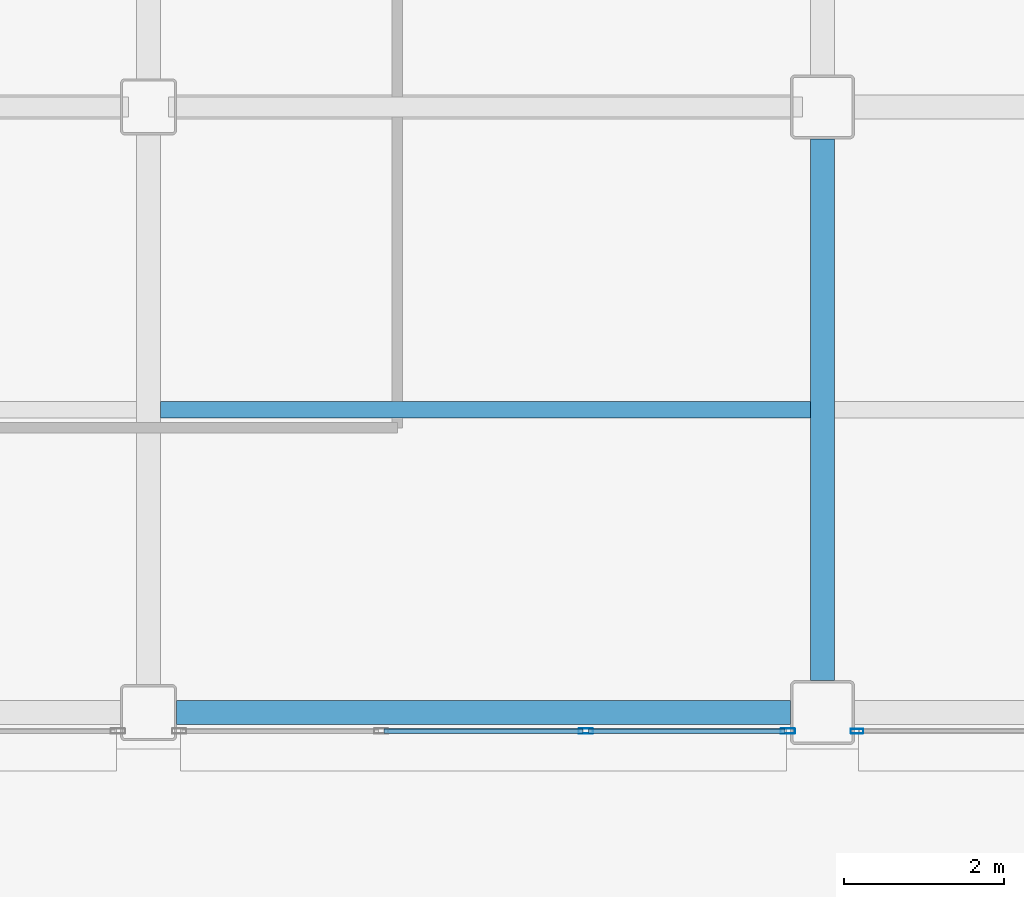
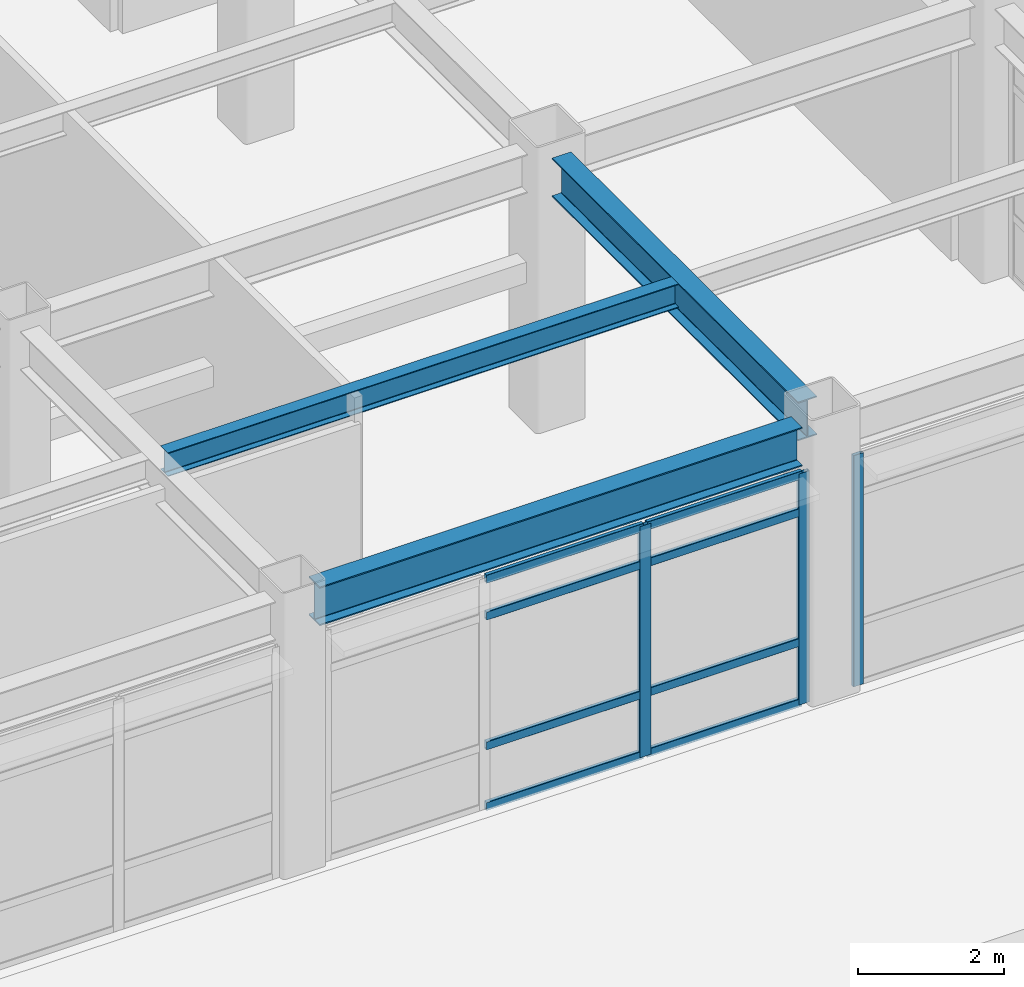
# One storey, part 93 of 172: 11 members, 3 beams, 2 elements without a shape of their own.
"""IFC4 building model written with IfcOpenShell, lengths in metres."""

from ifc_helpers import new_model, si_unit, direction, frame, origin, origin_2d, place, context, subcontext, project, spatial, hollow_rectangle, i_section, extrude, material, layer, layer_set, material_profile, profile_set, type_object, element, aggregate, save


model = new_model("IFC4")

# Units and contexts
model_context = context("Model", 3, precision=1e-05, world=origin(), true_north=direction((0.0, 1.0)))
body_context = subcontext(model_context, "Body", "Model", "MODEL_VIEW")
ifc_project = project(units=[si_unit("LENGTHUNIT", "METRE"), si_unit("AREAUNIT", "SQUARE_METRE"), si_unit("VOLUMEUNIT", "CUBIC_METRE"), si_unit("PLANEANGLEUNIT", "RADIAN"), si_unit("MASSUNIT", "GRAM", prefix="KILO")], contexts=[model_context])

# Site, building, storey
site_placement = place(None, origin())
site = spatial("IfcSite", under=ifc_project, at=site_placement, CompositionType="ELEMENT")
building_placement = place(site_placement, origin())
building = spatial("IfcBuilding", under=site, at=building_placement, Name="Kazehara Bluff Congress Hotel", CompositionType="ELEMENT")
storey_placement = place(building_placement, frame((0.0, 0.0, 5.39990234375)))
storey = spatial("IfcBuildingStorey", under=building, at=storey_placement, Name="L01", CompositionType="ELEMENT", Elevation=5.39990234375)

# Curtain wall, member
ifc_material_1 = material(Name="Anodised aluminium", Category="aluminium")
ifc_layer_1 = layer(ifc_material_1, 0.159912109375)
ifc_layer_set_1 = layer_set([ifc_layer_1], Name="Anodised aluminium")
curtain_wall_type_1 = type_object("IfcCurtainWallType", Name="TP-CW-112", PredefinedType="NOTDEFINED", material=ifc_layer_set_1)
curtain_wall_1_placement = place(storey_placement, origin())
curtain_wall_1 = element("IfcCurtainWall", 1, at=curtain_wall_1_placement, inside=storey, type_object=curtain_wall_type_1, Name="L01 curtain wall CW-112 CW-ENC-V5-L01-16405-22", PredefinedType="NOTDEFINED")
ifc_material_2 = material(Name="Anodised aluminium", Category="aluminium")
ifc_material_profile_1 = material_profile(ifc_material_2, hollow_rectangle(XDim=0.06005859375, YDim=0.159912109375, WallThickness=0.00390625, InnerFilletRadius=0.00390625, OuterFilletRadius=0.008056640625, at=origin_2d()))
ifc_profile_set_1 = profile_set([ifc_material_profile_1], Name="Anodised aluminium")
member_type_1 = type_object("IfcMemberType", Name="TP-CWM-01", PredefinedType="MULLION", material=ifc_profile_set_1)
member_1_placement = place(storey_placement, frame((160.929931640625, 0.219970703125, 0.0), z_axis=(0.0, 0.0, 1.0), x_axis=(0.0, -1.0, 0.0)))
member_1 = element("IfcMember", 2, at=member_1_placement, type_object=member_type_1, Name="CW-112 mullion 3", PredefinedType="MULLION", context=body_context, shape_type="SweptSolid", body=[
    extrude(hollow_rectangle(XDim=0.06005859375, YDim=0.159912109375, WallThickness=0.00390625, InnerFilletRadius=0.00390625, OuterFilletRadius=0.008056640625, at=origin_2d()), origin(), (0.0, 0.0, 1.0), 3.875),
])
aggregate(curtain_wall_1, [member_1])

# Curtain wall, members
ifc_material_3 = material(Name="Anodised aluminium", Category="aluminium")
ifc_layer_2 = layer(ifc_material_3, 0.159912109375)
ifc_layer_set_2 = layer_set([ifc_layer_2], Name="Anodised aluminium")
curtain_wall_type_2 = type_object("IfcCurtainWallType", Name="TP-CW-22", PredefinedType="NOTDEFINED", material=ifc_layer_set_2)
curtain_wall_2_placement = place(storey_placement, origin())
curtain_wall_2 = element("IfcCurtainWall", 3, at=curtain_wall_2_placement, inside=storey, type_object=curtain_wall_type_2, Name="L01 curtain wall CW-22 CW-ENC-V5-L01-15627-22", PredefinedType="NOTDEFINED")
ifc_material_4 = material(Name="Anodised aluminium", Category="aluminium")
ifc_material_profile_2 = material_profile(ifc_material_4, hollow_rectangle(XDim=0.06494140625, YDim=0.179931640625, WallThickness=0.00390625, InnerFilletRadius=0.00390625, OuterFilletRadius=0.008056640625, at=origin_2d()))
ifc_profile_set_2 = profile_set([ifc_material_profile_2], Name="Anodised aluminium")
member_type_2 = type_object("IfcMemberType", Name="TP-CWM-02", PredefinedType="MULLION", material=ifc_profile_set_2)
member_2_placement = place(storey_placement, frame((160.0673828125, 0.219970703125, 0.0), z_axis=(0.0, 0.0, 1.0), x_axis=(0.0, -1.0, 0.0)))
member_2 = element("IfcMember", 4, at=member_2_placement, type_object=member_type_2, Name="CW-22 mullion 1", PredefinedType="MULLION", context=body_context, shape_type="SweptSolid", body=[
    extrude(hollow_rectangle(XDim=0.06494140625, YDim=0.179931640625, WallThickness=0.00390625, InnerFilletRadius=0.00390625, OuterFilletRadius=0.008056640625, at=origin_2d()), origin(), (0.0, 0.0, 1.0), 3.875),
])
member_3_placement = place(storey_placement, frame((157.550048828125, 0.219970703125, 0.0), z_axis=(0.0, 0.0, 1.0), x_axis=(0.0, -1.0, 0.0)))
member_3 = element("IfcMember", 5, at=member_3_placement, type_object=member_type_2, Name="CW-22 mullion 2", PredefinedType="MULLION", context=body_context, shape_type="SweptSolid", body=[
    extrude(hollow_rectangle(XDim=0.06494140625, YDim=0.179931640625, WallThickness=0.00390625, InnerFilletRadius=0.00390625, OuterFilletRadius=0.008056640625, at=origin_2d()), origin(), (0.0, 0.0, 1.0), 3.875),
])
ifc_material_5 = material(Name="Anodised aluminium", Category="aluminium")
ifc_material_profile_3 = material_profile(ifc_material_5, hollow_rectangle(XDim=0.06494140625, YDim=0.139892578125, WallThickness=0.00390625, InnerFilletRadius=0.00390625, OuterFilletRadius=0.008056640625, at=origin_2d()))
ifc_profile_set_3 = profile_set([ifc_material_profile_3], Name="Anodised aluminium")
member_type_3 = type_object("IfcMemberType", Name="TP-CWT-02", PredefinedType="USERDEFINED", material=ifc_profile_set_3)
member_4_placement = place(storey_placement, frame((160.034912109375, 0.219970703125, 0.03271484375), z_axis=(-1.0, 0.0, 0.0), x_axis=(0.0, -1.0, 0.0)))
member_4 = element("IfcMember", 6, at=member_4_placement, type_object=member_type_3, Name="CW-22 transom 1.1", ObjectType="TRANSOM", PredefinedType="USERDEFINED", context=body_context, shape_type="SweptSolid", body=[
    extrude(hollow_rectangle(XDim=0.06494140625, YDim=0.139892578125, WallThickness=0.00390625, InnerFilletRadius=0.00390625, OuterFilletRadius=0.008056640625, at=origin_2d()), origin(), (0.0, 0.0, 1.0), 2.452392578125),
])
member_5_placement = place(storey_placement, frame((160.034912109375, 0.219970703125, 1.050048828125), z_axis=(-1.0, 0.0, 0.0), x_axis=(0.0, -1.0, 0.0)))
member_5 = element("IfcMember", 7, at=member_5_placement, type_object=member_type_3, Name="CW-22 transom 1.2", ObjectType="TRANSOM", PredefinedType="USERDEFINED", context=body_context, shape_type="SweptSolid", body=[
    extrude(hollow_rectangle(XDim=0.06494140625, YDim=0.139892578125, WallThickness=0.00390625, InnerFilletRadius=0.00390625, OuterFilletRadius=0.008056640625, at=origin_2d()), origin(), (0.0, 0.0, 1.0), 2.452392578125),
])
member_6_placement = place(storey_placement, frame((160.034912109375, 0.219970703125, 3.22509765625), z_axis=(-1.0, 0.0, 0.0), x_axis=(0.0, -1.0, 0.0)))
member_6 = element("IfcMember", 8, at=member_6_placement, type_object=member_type_3, Name="CW-22 transom 1.3", ObjectType="TRANSOM", PredefinedType="USERDEFINED", context=body_context, shape_type="SweptSolid", body=[
    extrude(hollow_rectangle(XDim=0.06494140625, YDim=0.139892578125, WallThickness=0.00390625, InnerFilletRadius=0.00390625, OuterFilletRadius=0.008056640625, at=origin_2d()), origin(), (0.0, 0.0, 1.0), 2.452392578125),
])
member_7_placement = place(storey_placement, frame((160.034912109375, 0.219970703125, 3.842529296875), z_axis=(-1.0, 0.0, 0.0), x_axis=(0.0, -1.0, 0.0)))
member_7 = element("IfcMember", 9, at=member_7_placement, type_object=member_type_3, Name="CW-22 transom 1.4", ObjectType="TRANSOM", PredefinedType="USERDEFINED", context=body_context, shape_type="SweptSolid", body=[
    extrude(hollow_rectangle(XDim=0.06494140625, YDim=0.139892578125, WallThickness=0.00390625, InnerFilletRadius=0.00390625, OuterFilletRadius=0.008056640625, at=origin_2d()), origin(), (0.0, 0.0, 1.0), 2.452392578125),
])
member_8_placement = place(storey_placement, frame((157.517578125, 0.219970703125, 0.03271484375), z_axis=(-1.0, 0.0, 0.0), x_axis=(0.0, -1.0, 0.0)))
member_8 = element("IfcMember", 10, at=member_8_placement, type_object=member_type_3, Name="CW-22 transom 2.1", ObjectType="TRANSOM", PredefinedType="USERDEFINED", context=body_context, shape_type="SweptSolid", body=[
    extrude(hollow_rectangle(XDim=0.06494140625, YDim=0.139892578125, WallThickness=0.00390625, InnerFilletRadius=0.00390625, OuterFilletRadius=0.008056640625, at=origin_2d()), origin(), (0.0, 0.0, 1.0), 2.485107421875),
])
member_9_placement = place(storey_placement, frame((157.517578125, 0.219970703125, 1.050048828125), z_axis=(-1.0, 0.0, 0.0), x_axis=(0.0, -1.0, 0.0)))
member_9 = element("IfcMember", 11, at=member_9_placement, type_object=member_type_3, Name="CW-22 transom 2.2", ObjectType="TRANSOM", PredefinedType="USERDEFINED", context=body_context, shape_type="SweptSolid", body=[
    extrude(hollow_rectangle(XDim=0.06494140625, YDim=0.139892578125, WallThickness=0.00390625, InnerFilletRadius=0.00390625, OuterFilletRadius=0.008056640625, at=origin_2d()), origin(), (0.0, 0.0, 1.0), 2.485107421875),
])
member_10_placement = place(storey_placement, frame((157.517578125, 0.219970703125, 3.22509765625), z_axis=(-1.0, 0.0, 0.0), x_axis=(0.0, -1.0, 0.0)))
member_10 = element("IfcMember", 12, at=member_10_placement, type_object=member_type_3, Name="CW-22 transom 2.3", ObjectType="TRANSOM", PredefinedType="USERDEFINED", context=body_context, shape_type="SweptSolid", body=[
    extrude(hollow_rectangle(XDim=0.06494140625, YDim=0.139892578125, WallThickness=0.00390625, InnerFilletRadius=0.00390625, OuterFilletRadius=0.008056640625, at=origin_2d()), origin(), (0.0, 0.0, 1.0), 2.485107421875),
])
member_11_placement = place(storey_placement, frame((157.517578125, 0.219970703125, 3.842529296875), z_axis=(-1.0, 0.0, 0.0), x_axis=(0.0, -1.0, 0.0)))
member_11 = element("IfcMember", 13, at=member_11_placement, type_object=member_type_3, Name="CW-22 transom 2.4", ObjectType="TRANSOM", PredefinedType="USERDEFINED", context=body_context, shape_type="SweptSolid", body=[
    extrude(hollow_rectangle(XDim=0.06494140625, YDim=0.139892578125, WallThickness=0.00390625, InnerFilletRadius=0.00390625, OuterFilletRadius=0.008056640625, at=origin_2d()), origin(), (0.0, 0.0, 1.0), 2.485107421875),
])
aggregate(curtain_wall_2, [member_2, member_3, member_4, member_5, member_6, member_7, member_8, member_9, member_10, member_11])

# Beams
ifc_material_6 = material(Name="Steel SN490B", Category="steel")
ifc_material_profile_4 = material_profile(ifc_material_6, i_section(OverallWidth=0.300048828125, OverallDepth=0.64990234375, WebThickness=0.011962890625, FlangeThickness=0.02001953125, FilletRadius=0.012939453125, at=origin_2d()))
ifc_profile_set_4 = profile_set([ifc_material_profile_4], Name="Steel SN490B")
beam_type_1 = type_object("IfcBeamType", Name="TP-G-03", PredefinedType="BEAM", material=ifc_profile_set_4)
beam_1_placement = place(storey_placement, frame((160.5, 0.85009765625, 4.22509765625), z_axis=(0.0, 1.0, 0.0), x_axis=(-1.0, 0.0, 0.0)))
element("IfcBeam", 14, at=beam_1_placement, inside=storey, type_object=beam_type_1, Name="L01 girder G-03 249", PredefinedType="BEAM", context=body_context, shape_type="SweptSolid", body=[
    extrude(i_section(OverallWidth=0.300048828125, OverallDepth=0.64990234375, WebThickness=0.011962890625, FlangeThickness=0.02001953125, FilletRadius=0.012939453125, at=origin_2d()), origin(), (0.0, 0.0, 1.0), 6.75),
])
beam_2_placement = place(storey_placement, frame((152.449951171875, 0.449951171875, 4.22509765625), z_axis=(1.0, 0.0, 0.0), x_axis=(0.0, 1.0, 0.0)))
element("IfcBeam", 15, at=beam_2_placement, inside=storey, type_object=beam_type_1, Name="L01 girder G-03 272", PredefinedType="BEAM", context=body_context, shape_type="SweptSolid", body=[
    extrude(i_section(OverallWidth=0.300048828125, OverallDepth=0.64990234375, WebThickness=0.011962890625, FlangeThickness=0.02001953125, FilletRadius=0.012939453125, at=origin_2d()), origin(), (0.0, 0.0, 1.0), 7.650146484375),
])
ifc_material_7 = material(Name="Steel SN400B", Category="steel")
ifc_material_profile_5 = material_profile(ifc_material_7, i_section(OverallWidth=0.199951171875, OverallDepth=0.39990234375, WebThickness=0.008056640625, FlangeThickness=0.012939453125, FilletRadius=0.012939453125, at=origin_2d()))
ifc_profile_set_5 = profile_set([ifc_material_profile_5], Name="Steel SN400B")
beam_type_2 = type_object("IfcBeamType", Name="TP-J-03", PredefinedType="JOIST", material=ifc_profile_set_5)
beam_3_placement = place(storey_placement, frame((152.25, 4.22509765625, 4.35009765625), z_axis=(1.0, 0.0, 0.0), x_axis=(0.0, 1.0, 0.0)))
element("IfcBeam", 16, at=beam_3_placement, inside=storey, type_object=beam_type_2, Name="L01 secondary joist J-03 67", PredefinedType="JOIST", context=body_context, shape_type="SweptSolid", body=[
    extrude(i_section(OverallWidth=0.199951171875, OverallDepth=0.39990234375, WebThickness=0.008056640625, FlangeThickness=0.012939453125, FilletRadius=0.012939453125, at=origin_2d()), origin(), (0.0, 0.0, 1.0), 8.10009765625),
])

save(model, "model.ifc")
